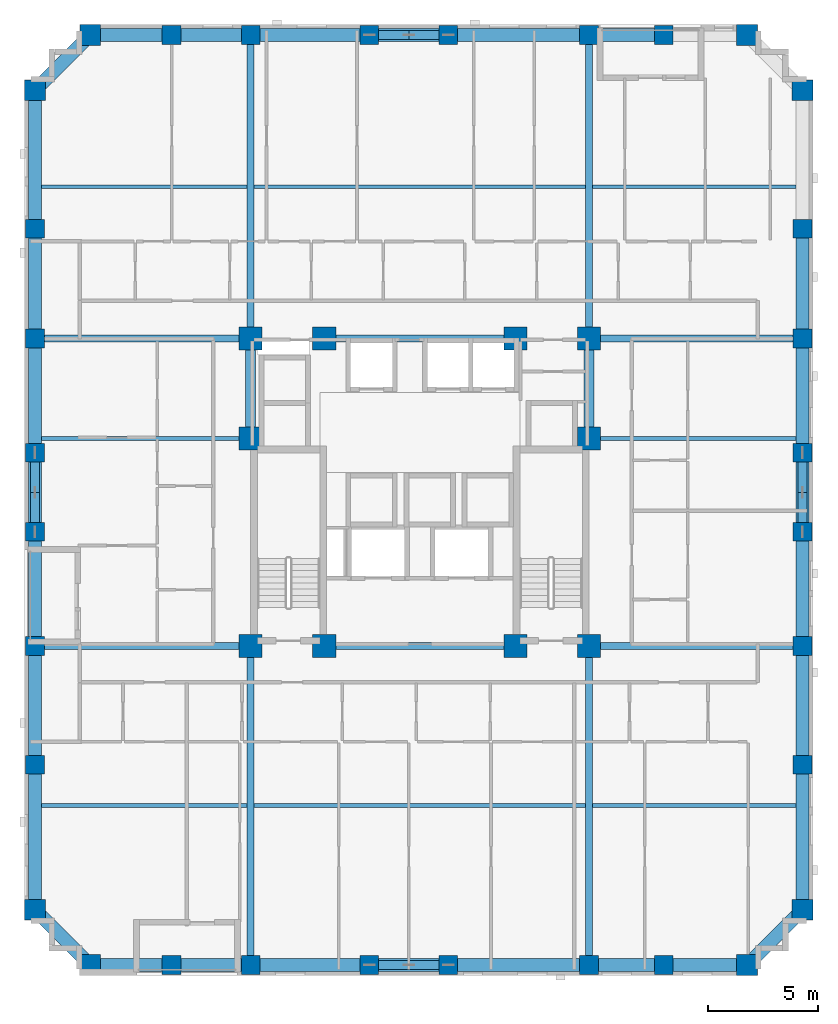
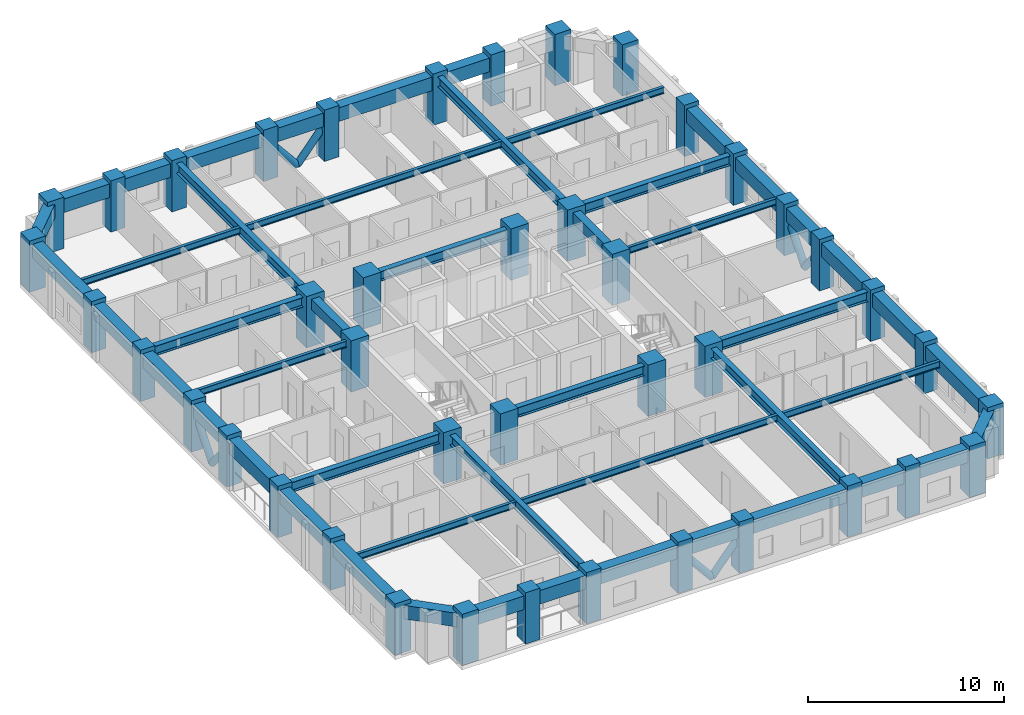
# One storey, part 1 of 12: 49 beams, 42 columns, 8 members.
"""IFC4 building model written with IfcOpenShell, lengths in metres."""

from ifc_helpers import new_model, si_unit, derived_unit, direction, frame, origin, origin_2d, place, context, subcontext, project, spatial, rectangle, hollow_circle, i_section, extrude, material, material_profile, profile_set, type_object, element, save


model = new_model("IFC4")

# Units and contexts
model_context = context("Model", 3, precision=1e-05, world=origin(), true_north=direction((0.0, 1.0)))
body_context = subcontext(model_context, "Body", "Model", "MODEL_VIEW")
ifc_project = project(units=[si_unit("LENGTHUNIT", "METRE"), si_unit("AREAUNIT", "SQUARE_METRE"), si_unit("VOLUMEUNIT", "CUBIC_METRE"), si_unit("PLANEANGLEUNIT", "RADIAN"), si_unit("MASSUNIT", "GRAM", prefix="KILO"), derived_unit("THERMALTRANSMITTANCEUNIT", [(si_unit("MASSUNIT", "GRAM", prefix="KILO"), 1), (si_unit("TIMEUNIT", "SECOND"), -3), (si_unit("THERMODYNAMICTEMPERATUREUNIT", "KELVIN"), -1)])], contexts=[model_context])

# Site, building, storey
site_placement = place(None, origin())
site = spatial("IfcSite", under=ifc_project, at=site_placement, CompositionType="ELEMENT")
building_placement = place(site_placement, origin())
building = spatial("IfcBuilding", under=site, at=building_placement, Name="Korrvale Station Residences", CompositionType="ELEMENT")
storey_placement = place(building_placement, frame((0.0, 0.0, 78.300048828125)))
storey = spatial("IfcBuildingStorey", under=building, at=storey_placement, Name="L21", CompositionType="ELEMENT", Elevation=78.300048828125)

# Columns
ifc_material_1 = material(Name="Concrete C60/75", Category="concrete")
ifc_material_profile_1 = material_profile(ifc_material_1, rectangle(XDim=1.050048828125, YDim=1.050048828125, at=origin_2d()), Name="RC1050x1050")
ifc_profile_set_1 = profile_set([ifc_material_profile_1], Name="Concrete C60/75")
column_type_1 = type_object("IfcColumnType", Name="COL-C-RC1050x1050-C6075", PredefinedType="COLUMN", material=ifc_profile_set_1)
for number, where, z_axis, x_axis, name in (
    (1, (17.800048828125, 15.0, 0.0), (0.0, 0.0, 1.0), (1.0, 0.0, 0.0), "L21 Core Column 01"),
    (2, (21.14990234375, 15.0, 0.0), (0.0, 0.0, 1.0), (1.0, 0.0, 0.0), "L21 Core Column 02"),
    (3, (29.85009765625, 15.0, 0.0), (0.0, 0.0, 1.0), (1.0, 0.0, 0.0), "L21 Core Column 03"),
    (4, (33.199951171875, 15.0, 0.0), (0.0, 0.0, 1.0), (1.0, 0.0, 0.0), "L21 Core Column 04"),
    (5, (17.800048828125, 29.0, 0.0), (0.0, 0.0, 1.0), (1.0, 0.0, 0.0), "L21 Core Column 05"),
    (6, (21.14990234375, 29.0, 0.0), (0.0, 0.0, 1.0), (1.0, 0.0, 0.0), "L21 Core Column 06"),
    (7, (29.85009765625, 29.0, 0.0), (0.0, 0.0, 1.0), (1.0, 0.0, 0.0), "L21 Core Column 07"),
    (8, (33.199951171875, 29.0, 0.0), (0.0, 0.0, 1.0), (1.0, 0.0, 0.0), "L21 Core Column 08"),
    (9, (17.800048828125, 24.449951171875, 0.0), (0.0, 0.0, 1.0), (1.0, 0.0, 0.0), "L21 Core Column 09"),
    (10, (33.199951171875, 24.449951171875, 0.0), (0.0, 0.0, 1.0), (1.0, 0.0, 0.0), "L21 Core Column 10"),
):
    element("IfcColumn", number, at=place(storey_placement, frame(where, z_axis=z_axis, x_axis=x_axis)), inside=storey, type_object=column_type_1, Name=name, PredefinedType="COLUMN", context=body_context, shape_type="SweptSolid", body=[
        extrude(rectangle(XDim=1.050048828125, YDim=1.050048828125, at=origin_2d()), origin(), (0.0, 0.0, 1.0), 3.199951171875),
    ])
ifc_material_profile_2 = material_profile(ifc_material_1, rectangle(XDim=0.85009765625, YDim=0.85009765625, at=origin_2d()), Name="RC850x850")
ifc_profile_set_2 = profile_set([ifc_material_profile_2], Name="Concrete C60/75")
column_type_2 = type_object("IfcColumnType", Name="COL-C-RC850x850-C6075", PredefinedType="COLUMN", material=ifc_profile_set_2)
for number, where, z_axis, x_axis, name in (
    (11, (14.199951171875, 0.47998046875, 0.0), (0.0, 0.0, 1.0), (1.0, 0.0, 0.0), "L21 Bundled-Tube South Column 02"),
    (12, (17.800048828125, 0.47998046875, 0.0), (0.0, 0.0, 1.0), (1.0, 0.0, 0.0), "L21 Bundled-Tube South Column 03"),
    (13, (23.199951171875, 0.47998046875, 0.0), (0.0, 0.0, 1.0), (1.0, 0.0, 0.0), "L21 Bundled-Tube South Column 04"),
    (14, (26.800048828125, 0.47998046875, 0.0), (0.0, 0.0, 1.0), (1.0, 0.0, 0.0), "L21 Bundled-Tube South Column 05"),
    (15, (33.199951171875, 0.47998046875, 0.0), (0.0, 0.0, 1.0), (1.0, 0.0, 0.0), "L21 Bundled-Tube South Column 06"),
    (16, (36.60009765625, 0.47998046875, 0.0), (0.0, 0.0, 1.0), (1.0, 0.0, 0.0), "L21 Bundled-Tube South Column 07"),
    (17, (14.199951171875, 42.820068359375, 0.0), (0.0, 0.0, 1.0), (1.0, 0.0, 0.0), "L21 Bundled-Tube North Column 10"),
    (18, (17.800048828125, 42.820068359375, 0.0), (0.0, 0.0, 1.0), (1.0, 0.0, 0.0), "L21 Bundled-Tube North Column 11"),
    (19, (23.199951171875, 42.820068359375, 0.0), (0.0, 0.0, 1.0), (1.0, 0.0, 0.0), "L21 Bundled-Tube North Column 12"),
    (20, (26.800048828125, 42.820068359375, 0.0), (0.0, 0.0, 1.0), (1.0, 0.0, 0.0), "L21 Bundled-Tube North Column 13"),
    (21, (33.199951171875, 42.820068359375, 0.0), (0.0, 0.0, 1.0), (1.0, 0.0, 0.0), "L21 Bundled-Tube North Column 14"),
    (22, (36.60009765625, 42.820068359375, 0.0), (0.0, 0.0, 1.0), (1.0, 0.0, 0.0), "L21 Bundled-Tube North Column 15"),
    (23, (7.97998046875, 9.60009765625, 0.0), (0.0, 0.0, 1.0), (1.0, 0.0, 0.0), "L21 Bundled-Tube West Column 18"),
    (24, (7.97998046875, 15.0, 0.0), (0.0, 0.0, 1.0), (1.0, 0.0, 0.0), "L21 Bundled-Tube West Column 19"),
    (25, (7.97998046875, 20.199951171875, 0.0), (0.0, 0.0, 1.0), (1.0, 0.0, 0.0), "L21 Bundled-Tube West Column 20"),
    (26, (7.97998046875, 23.800048828125, 0.0), (0.0, 0.0, 1.0), (1.0, 0.0, 0.0), "L21 Bundled-Tube West Column 21"),
    (27, (7.97998046875, 29.0, 0.0), (0.0, 0.0, 1.0), (1.0, 0.0, 0.0), "L21 Bundled-Tube West Column 22"),
    (28, (7.97998046875, 34.0, 0.0), (0.0, 0.0, 1.0), (1.0, 0.0, 0.0), "L21 Bundled-Tube West Column 23"),
    (29, (42.919921875, 9.60009765625, 0.0), (0.0, 0.0, 1.0), (1.0, 0.0, 0.0), "L21 Bundled-Tube East Column 26"),
    (30, (42.919921875, 15.0, 0.0), (0.0, 0.0, 1.0), (1.0, 0.0, 0.0), "L21 Bundled-Tube East Column 27"),
    (31, (42.919921875, 20.199951171875, 0.0), (0.0, 0.0, 1.0), (1.0, 0.0, 0.0), "L21 Bundled-Tube East Column 28"),
    (32, (42.919921875, 23.800048828125, 0.0), (0.0, 0.0, 1.0), (1.0, 0.0, 0.0), "L21 Bundled-Tube East Column 29"),
    (33, (42.919921875, 29.0, 0.0), (0.0, 0.0, 1.0), (1.0, 0.0, 0.0), "L21 Bundled-Tube East Column 30"),
    (34, (42.919921875, 34.0, 0.0), (0.0, 0.0, 1.0), (1.0, 0.0, 0.0), "L21 Bundled-Tube East Column 31"),
):
    element("IfcColumn", number, at=place(storey_placement, frame(where, z_axis=z_axis, x_axis=x_axis)), inside=storey, type_object=column_type_2, Name=name, PredefinedType="COLUMN", context=body_context, shape_type="SweptSolid", body=[
        extrude(rectangle(XDim=0.85009765625, YDim=0.85009765625, at=origin_2d()), origin(), (0.0, 0.0, 1.0), 3.199951171875),
    ])
ifc_material_profile_3 = material_profile(ifc_material_1, rectangle(XDim=0.949951171875, YDim=0.949951171875, at=origin_2d()), Name="RC950x950")
ifc_profile_set_3 = profile_set([ifc_material_profile_3], Name="Concrete C60/75")
column_type_3 = type_object("IfcColumnType", Name="COL-C-RC950x950-C6075", PredefinedType="COLUMN", material=ifc_profile_set_3)
for number, where, z_axis, x_axis, name in (
    (35, (10.5, 0.47998046875, 0.0), (0.0, 0.0, 1.0), (1.0, 0.0, 0.0), "L21 Bundled-Tube South Column 01"),
    (36, (40.39990234375, 0.47998046875, 0.0), (0.0, 0.0, 1.0), (1.0, 0.0, 0.0), "L21 Bundled-Tube South Column 08"),
    (37, (10.5, 42.820068359375, 0.0), (0.0, 0.0, 1.0), (1.0, 0.0, 0.0), "L21 Bundled-Tube North Column 09"),
    (38, (40.39990234375, 42.820068359375, 0.0), (0.0, 0.0, 1.0), (1.0, 0.0, 0.0), "L21 Bundled-Tube North Column 16"),
    (39, (7.97998046875, 3.0, 0.0), (0.0, 0.0, 1.0), (1.0, 0.0, 0.0), "L21 Bundled-Tube West Column 17"),
    (40, (7.97998046875, 40.300048828125, 0.0), (0.0, 0.0, 1.0), (1.0, 0.0, 0.0), "L21 Bundled-Tube West Column 24"),
    (41, (42.919921875, 3.0, 0.0), (0.0, 0.0, 1.0), (1.0, 0.0, 0.0), "L21 Bundled-Tube East Column 25"),
    (42, (42.919921875, 40.300048828125, 0.0), (0.0, 0.0, 1.0), (1.0, 0.0, 0.0), "L21 Bundled-Tube East Column 32"),
):
    element("IfcColumn", number, at=place(storey_placement, frame(where, z_axis=z_axis, x_axis=x_axis)), inside=storey, type_object=column_type_3, Name=name, PredefinedType="COLUMN", context=body_context, shape_type="SweptSolid", body=[
        extrude(rectangle(XDim=0.949951171875, YDim=0.949951171875, at=origin_2d()), origin(), (0.0, 0.0, 1.0), 3.199951171875),
    ])

# Beams
ifc_material_2 = material(Name="Steel S355", Category="steel")
ifc_material_profile_4 = material_profile(ifc_material_2, i_section(OverallWidth=0.324951171875, OverallDepth=0.615966796875, WebThickness=0.013916015625, FlangeThickness=0.021484375, FilletRadius=0.01904296875, at=origin_2d()), Name="W610x174")
ifc_profile_set_4 = profile_set([ifc_material_profile_4], Name="Steel S355")
beam_type_1 = type_object("IfcBeamType", Name="BM-BM-W610x174-S355", PredefinedType="BEAM", material=ifc_profile_set_4)
for number, where, z_axis, x_axis, name in (
    (43, (17.800048828125, 0.47998046875, 2.6318359375), (0.0, 1.0, 0.0), (-1.0, 0.0, 0.0), "L21 Bundled-Tube Web Girder 01"),
    (44, (33.199951171875, 0.47998046875, 2.6318359375), (0.0, 1.0, 0.0), (-1.0, 0.0, 0.0), "L21 Bundled-Tube Web Girder 02"),
):
    element("IfcBeam", number, at=place(storey_placement, frame(where, z_axis=z_axis, x_axis=x_axis)), inside=storey, type_object=beam_type_1, Name=name, PredefinedType="BEAM", context=body_context, shape_type="SweptSolid", body=[
        extrude(i_section(OverallWidth=0.324951171875, OverallDepth=0.615966796875, WebThickness=0.013916015625, FlangeThickness=0.021484375, FilletRadius=0.01904296875, at=origin_2d()), origin(), (0.0, 0.0, 1.0), 14.52001953125),
    ])
for number, where, z_axis, x_axis, name in (
    (45, (17.800048828125, 29.0, 2.6318359375), (0.0, 1.0, 0.0), (-1.0, 0.0, 0.0), "L21 Bundled-Tube Web Girder 03"),
    (46, (33.199951171875, 29.0, 2.6318359375), (0.0, 1.0, 0.0), (-1.0, 0.0, 0.0), "L21 Bundled-Tube Web Girder 04"),
):
    element("IfcBeam", number, at=place(storey_placement, frame(where, z_axis=z_axis, x_axis=x_axis)), inside=storey, type_object=beam_type_1, Name=name, PredefinedType="BEAM", context=body_context, shape_type="SweptSolid", body=[
        extrude(i_section(OverallWidth=0.324951171875, OverallDepth=0.615966796875, WebThickness=0.013916015625, FlangeThickness=0.021484375, FilletRadius=0.01904296875, at=origin_2d()), origin(), (0.0, 0.0, 1.0), 13.820068359375),
    ])
beam_1_placement = place(storey_placement, frame((7.97998046875, 15.0, 2.6318359375), z_axis=(1.0, 0.0, 0.0), x_axis=(0.0, 1.0, 0.0)))
element("IfcBeam", 47, at=beam_1_placement, inside=storey, type_object=beam_type_1, Name="L21 Bundled-Tube Web Girder 05", PredefinedType="BEAM", context=body_context, shape_type="SweptSolid", body=[
    extrude(i_section(OverallWidth=0.324951171875, OverallDepth=0.615966796875, WebThickness=0.013916015625, FlangeThickness=0.021484375, FilletRadius=0.01904296875, at=origin_2d()), origin(), (0.0, 0.0, 1.0), 9.820068359375),
])
beam_2_placement = place(storey_placement, frame((33.199951171875, 15.0, 2.6318359375), z_axis=(1.0, 0.0, 0.0), x_axis=(0.0, 1.0, 0.0)))
element("IfcBeam", 48, at=beam_2_placement, inside=storey, type_object=beam_type_1, Name="L21 Bundled-Tube Web Girder 06", PredefinedType="BEAM", context=body_context, shape_type="SweptSolid", body=[
    extrude(i_section(OverallWidth=0.324951171875, OverallDepth=0.615966796875, WebThickness=0.013916015625, FlangeThickness=0.021484375, FilletRadius=0.01904296875, at=origin_2d()), origin(), (0.0, 0.0, 1.0), 9.719970703125),
])
beam_3_placement = place(storey_placement, frame((7.97998046875, 29.0, 2.6318359375), z_axis=(1.0, 0.0, 0.0), x_axis=(0.0, 1.0, 0.0)))
element("IfcBeam", 49, at=beam_3_placement, inside=storey, type_object=beam_type_1, Name="L21 Bundled-Tube Web Girder 07", PredefinedType="BEAM", context=body_context, shape_type="SweptSolid", body=[
    extrude(i_section(OverallWidth=0.324951171875, OverallDepth=0.615966796875, WebThickness=0.013916015625, FlangeThickness=0.021484375, FilletRadius=0.01904296875, at=origin_2d()), origin(), (0.0, 0.0, 1.0), 9.820068359375),
])
beam_4_placement = place(storey_placement, frame((33.199951171875, 29.0, 2.6318359375), z_axis=(1.0, 0.0, 0.0), x_axis=(0.0, 1.0, 0.0)))
element("IfcBeam", 50, at=beam_4_placement, inside=storey, type_object=beam_type_1, Name="L21 Bundled-Tube Web Girder 08", PredefinedType="BEAM", context=body_context, shape_type="SweptSolid", body=[
    extrude(i_section(OverallWidth=0.324951171875, OverallDepth=0.615966796875, WebThickness=0.013916015625, FlangeThickness=0.021484375, FilletRadius=0.01904296875, at=origin_2d()), origin(), (0.0, 0.0, 1.0), 9.719970703125),
])
for number, where, z_axis, x_axis, name in (
    (51, (21.14990234375, 15.0, 2.6318359375), (1.0, 0.0, 0.0), (0.0, 1.0, 0.0), "L21 Bundled-Tube Web Girder 09"),
    (52, (21.14990234375, 29.0, 2.6318359375), (1.0, 0.0, 0.0), (0.0, 1.0, 0.0), "L21 Bundled-Tube Web Girder 10"),
):
    element("IfcBeam", number, at=place(storey_placement, frame(where, z_axis=z_axis, x_axis=x_axis)), inside=storey, type_object=beam_type_1, Name=name, PredefinedType="BEAM", context=body_context, shape_type="SweptSolid", body=[
        extrude(i_section(OverallWidth=0.324951171875, OverallDepth=0.615966796875, WebThickness=0.013916015625, FlangeThickness=0.021484375, FilletRadius=0.01904296875, at=origin_2d()), origin(), (0.0, 0.0, 1.0), 8.7001953125),
    ])
ifc_material_profile_5 = material_profile(ifc_material_2, i_section(OverallWidth=0.177978515625, OverallDepth=0.406982421875, WebThickness=0.0078125, FlangeThickness=0.0126953125, FilletRadius=0.01611328125, at=origin_2d()), Name="W410x60")
ifc_profile_set_5 = profile_set([ifc_material_profile_5], Name="Steel S355")
beam_type_2 = type_object("IfcBeamType", Name="BM-JST-W410x60-S355", PredefinedType="JOIST", material=ifc_profile_set_5)
beam_5_placement = place(storey_placement, frame((8.280029296875, 7.739990234375, 2.736572265625), z_axis=(1.0, 0.0, 0.0), x_axis=(0.0, 1.0, 0.0)))
element("IfcBeam", 53, at=beam_5_placement, inside=storey, type_object=beam_type_2, Name="L21 Floor Framing Joist 01", PredefinedType="JOIST", context=body_context, shape_type="SweptSolid", body=[
    extrude(i_section(OverallWidth=0.177978515625, OverallDepth=0.406982421875, WebThickness=0.0078125, FlangeThickness=0.0126953125, FilletRadius=0.01611328125, at=origin_2d()), origin(), (0.0, 0.0, 1.0), 9.357421875),
])
beam_6_placement = place(storey_placement, frame((17.96240234375, 7.739990234375, 2.736572265625), z_axis=(1.0, 0.0, 0.0), x_axis=(0.0, 1.0, 0.0)))
element("IfcBeam", 54, at=beam_6_placement, inside=storey, type_object=beam_type_2, Name="L21 Floor Framing Joist 02", PredefinedType="JOIST", context=body_context, shape_type="SweptSolid", body=[
    extrude(i_section(OverallWidth=0.177978515625, OverallDepth=0.406982421875, WebThickness=0.0078125, FlangeThickness=0.0126953125, FilletRadius=0.01611328125, at=origin_2d()), origin(), (0.0, 0.0, 1.0), 15.0751953125),
])
beam_7_placement = place(storey_placement, frame((33.362548828125, 7.739990234375, 2.736572265625), z_axis=(1.0, 0.0, 0.0), x_axis=(0.0, 1.0, 0.0)))
element("IfcBeam", 55, at=beam_7_placement, inside=storey, type_object=beam_type_2, Name="L21 Floor Framing Joist 03", PredefinedType="JOIST", context=body_context, shape_type="SweptSolid", body=[
    extrude(i_section(OverallWidth=0.177978515625, OverallDepth=0.406982421875, WebThickness=0.0078125, FlangeThickness=0.0126953125, FilletRadius=0.01611328125, at=origin_2d()), origin(), (0.0, 0.0, 1.0), 9.257568359375),
])
beam_8_placement = place(storey_placement, frame((8.280029296875, 35.909912109375, 2.736572265625), z_axis=(1.0, 0.0, 0.0), x_axis=(0.0, 1.0, 0.0)))
element("IfcBeam", 56, at=beam_8_placement, inside=storey, type_object=beam_type_2, Name="L21 Floor Framing Joist 04", PredefinedType="JOIST", context=body_context, shape_type="SweptSolid", body=[
    extrude(i_section(OverallWidth=0.177978515625, OverallDepth=0.406982421875, WebThickness=0.0078125, FlangeThickness=0.0126953125, FilletRadius=0.01611328125, at=origin_2d()), origin(), (0.0, 0.0, 1.0), 9.357421875),
])
beam_9_placement = place(storey_placement, frame((17.96240234375, 35.909912109375, 2.736572265625), z_axis=(1.0, 0.0, 0.0), x_axis=(0.0, 1.0, 0.0)))
element("IfcBeam", 57, at=beam_9_placement, inside=storey, type_object=beam_type_2, Name="L21 Floor Framing Joist 05", PredefinedType="JOIST", context=body_context, shape_type="SweptSolid", body=[
    extrude(i_section(OverallWidth=0.177978515625, OverallDepth=0.406982421875, WebThickness=0.0078125, FlangeThickness=0.0126953125, FilletRadius=0.01611328125, at=origin_2d()), origin(), (0.0, 0.0, 1.0), 15.0751953125),
])
beam_10_placement = place(storey_placement, frame((33.362548828125, 35.909912109375, 2.736572265625), z_axis=(1.0, 0.0, 0.0), x_axis=(0.0, 1.0, 0.0)))
element("IfcBeam", 58, at=beam_10_placement, inside=storey, type_object=beam_type_2, Name="L21 Floor Framing Joist 06", PredefinedType="JOIST", context=body_context, shape_type="SweptSolid", body=[
    extrude(i_section(OverallWidth=0.177978515625, OverallDepth=0.406982421875, WebThickness=0.0078125, FlangeThickness=0.0126953125, FilletRadius=0.01611328125, at=origin_2d()), origin(), (0.0, 0.0, 1.0), 9.257568359375),
])
beam_11_placement = place(storey_placement, frame((33.425048828125, 24.449951171875, 2.736572265625), z_axis=(1.0, 0.0, 0.0), x_axis=(0.0, 1.0, 0.0)))
element("IfcBeam", 59, at=beam_11_placement, inside=storey, type_object=beam_type_2, Name="L21 Floor Framing Joist 07", PredefinedType="JOIST", context=body_context, shape_type="SweptSolid", body=[
    extrude(i_section(OverallWidth=0.177978515625, OverallDepth=0.406982421875, WebThickness=0.0078125, FlangeThickness=0.0126953125, FilletRadius=0.01611328125, at=origin_2d()), origin(), (0.0, 0.0, 1.0), 9.195068359375),
])
beam_12_placement = place(storey_placement, frame((8.280029296875, 24.449951171875, 2.736572265625), z_axis=(1.0, 0.0, 0.0), x_axis=(0.0, 1.0, 0.0)))
element("IfcBeam", 60, at=beam_12_placement, inside=storey, type_object=beam_type_2, Name="L21 Floor Framing Joist 08", PredefinedType="JOIST", context=body_context, shape_type="SweptSolid", body=[
    extrude(i_section(OverallWidth=0.177978515625, OverallDepth=0.406982421875, WebThickness=0.0078125, FlangeThickness=0.0126953125, FilletRadius=0.01611328125, at=origin_2d()), origin(), (0.0, 0.0, 1.0), 9.294921875),
])
ifc_material_profile_6 = material_profile(ifc_material_1, rectangle(XDim=0.449951171875, YDim=0.64990234375, at=origin_2d()), Name="RCB450x650")
ifc_profile_set_6 = profile_set([ifc_material_profile_6], Name="Concrete C60/75")
beam_type_3 = type_object("IfcBeamType", Name="BM-LNT-RCB450x650-C6075", PredefinedType="LINTEL", material=ifc_profile_set_6)
for number, where, z_axis, x_axis, name in (
    (61, (17.800048828125, 24.449951171875, 2.614990234375), (0.0, 1.0, 0.0), (-1.0, 0.0, 0.0), "L21 Core Coupling Lintel 1"),
    (62, (33.199951171875, 24.449951171875, 2.614990234375), (0.0, 1.0, 0.0), (-1.0, 0.0, 0.0), "L21 Core Coupling Lintel 2"),
):
    element("IfcBeam", number, at=place(storey_placement, frame(where, z_axis=z_axis, x_axis=x_axis)), inside=storey, type_object=beam_type_3, Name=name, PredefinedType="LINTEL", context=body_context, shape_type="SweptSolid", body=[
        extrude(rectangle(XDim=0.449951171875, YDim=0.64990234375, at=origin_2d()), origin(), (0.0, 0.0, 1.0), 4.550048828125),
    ])
ifc_material_profile_7 = material_profile(ifc_material_1, rectangle(XDim=0.60009765625, YDim=0.85009765625, at=origin_2d()), Name="RCB600x850")
ifc_profile_set_7 = profile_set([ifc_material_profile_7], Name="Concrete C60/75")
beam_type_4 = type_object("IfcBeamType", Name="BM-SPB-RCB600x850-C6075", PredefinedType="SPANDREL", material=ifc_profile_set_7)
beam_13_placement = place(storey_placement, frame((10.5, 0.47998046875, 2.514892578125), z_axis=(1.0, 0.0, 0.0), x_axis=(0.0, 1.0, 0.0)))
element("IfcBeam", 63, at=beam_13_placement, inside=storey, type_object=beam_type_4, Name="L21 South Tube Spandrel 01", PredefinedType="SPANDREL", context=body_context, shape_type="SweptSolid", body=[
    extrude(rectangle(XDim=0.60009765625, YDim=0.85009765625, at=origin_2d()), origin(), (0.0, 0.0, 1.0), 3.699951171875),
])
beam_14_placement = place(storey_placement, frame((14.199951171875, 0.47998046875, 2.514892578125), z_axis=(1.0, 0.0, 0.0), x_axis=(0.0, 1.0, 0.0)))
element("IfcBeam", 64, at=beam_14_placement, inside=storey, type_object=beam_type_4, Name="L21 South Tube Spandrel 02", PredefinedType="SPANDREL", context=body_context, shape_type="SweptSolid", body=[
    extrude(rectangle(XDim=0.60009765625, YDim=0.85009765625, at=origin_2d()), origin(), (0.0, 0.0, 1.0), 3.60009765625),
])
beam_15_placement = place(storey_placement, frame((17.800048828125, 0.47998046875, 2.514892578125), z_axis=(1.0, 0.0, 0.0), x_axis=(0.0, 1.0, 0.0)))
element("IfcBeam", 65, at=beam_15_placement, inside=storey, type_object=beam_type_4, Name="L21 South Tube Spandrel 03", PredefinedType="SPANDREL", context=body_context, shape_type="SweptSolid", body=[
    extrude(rectangle(XDim=0.60009765625, YDim=0.85009765625, at=origin_2d()), origin(), (0.0, 0.0, 1.0), 5.39990234375),
])
beam_16_placement = place(storey_placement, frame((23.199951171875, 0.47998046875, 2.514892578125), z_axis=(1.0, 0.0, 0.0), x_axis=(0.0, 1.0, 0.0)))
element("IfcBeam", 66, at=beam_16_placement, inside=storey, type_object=beam_type_4, Name="L21 South Tube Spandrel 04", PredefinedType="SPANDREL", context=body_context, shape_type="SweptSolid", body=[
    extrude(rectangle(XDim=0.60009765625, YDim=0.85009765625, at=origin_2d()), origin(), (0.0, 0.0, 1.0), 3.60009765625),
])
beam_17_placement = place(storey_placement, frame((26.800048828125, 0.47998046875, 2.514892578125), z_axis=(1.0, 0.0, 0.0), x_axis=(0.0, 1.0, 0.0)))
element("IfcBeam", 67, at=beam_17_placement, inside=storey, type_object=beam_type_4, Name="L21 South Tube Spandrel 05", PredefinedType="SPANDREL", context=body_context, shape_type="SweptSolid", body=[
    extrude(rectangle(XDim=0.60009765625, YDim=0.85009765625, at=origin_2d()), origin(), (0.0, 0.0, 1.0), 6.39990234375),
])
beam_18_placement = place(storey_placement, frame((33.199951171875, 0.47998046875, 2.514892578125), z_axis=(1.0, 0.0, 0.0), x_axis=(0.0, 1.0, 0.0)))
element("IfcBeam", 68, at=beam_18_placement, inside=storey, type_object=beam_type_4, Name="L21 South Tube Spandrel 06", PredefinedType="SPANDREL", context=body_context, shape_type="SweptSolid", body=[
    extrude(rectangle(XDim=0.60009765625, YDim=0.85009765625, at=origin_2d()), origin(), (0.0, 0.0, 1.0), 3.400146484375),
])
beam_19_placement = place(storey_placement, frame((36.60009765625, 0.47998046875, 2.514892578125), z_axis=(1.0, 0.0, 0.0), x_axis=(0.0, 1.0, 0.0)))
element("IfcBeam", 69, at=beam_19_placement, inside=storey, type_object=beam_type_4, Name="L21 South Tube Spandrel 07", PredefinedType="SPANDREL", context=body_context, shape_type="SweptSolid", body=[
    extrude(rectangle(XDim=0.60009765625, YDim=0.85009765625, at=origin_2d()), origin(), (0.0, 0.0, 1.0), 3.7998046875),
])
beam_20_placement = place(storey_placement, frame((10.5, 42.820068359375, 2.514892578125), z_axis=(1.0, 0.0, 0.0), x_axis=(0.0, 1.0, 0.0)))
element("IfcBeam", 70, at=beam_20_placement, inside=storey, type_object=beam_type_4, Name="L21 North Tube Spandrel 08", PredefinedType="SPANDREL", context=body_context, shape_type="SweptSolid", body=[
    extrude(rectangle(XDim=0.60009765625, YDim=0.85009765625, at=origin_2d()), origin(), (0.0, 0.0, 1.0), 3.699951171875),
])
beam_21_placement = place(storey_placement, frame((14.199951171875, 42.820068359375, 2.514892578125), z_axis=(1.0, 0.0, 0.0), x_axis=(0.0, 1.0, 0.0)))
element("IfcBeam", 71, at=beam_21_placement, inside=storey, type_object=beam_type_4, Name="L21 North Tube Spandrel 09", PredefinedType="SPANDREL", context=body_context, shape_type="SweptSolid", body=[
    extrude(rectangle(XDim=0.60009765625, YDim=0.85009765625, at=origin_2d()), origin(), (0.0, 0.0, 1.0), 3.60009765625),
])
beam_22_placement = place(storey_placement, frame((17.800048828125, 42.820068359375, 2.514892578125), z_axis=(1.0, 0.0, 0.0), x_axis=(0.0, 1.0, 0.0)))
element("IfcBeam", 72, at=beam_22_placement, inside=storey, type_object=beam_type_4, Name="L21 North Tube Spandrel 10", PredefinedType="SPANDREL", context=body_context, shape_type="SweptSolid", body=[
    extrude(rectangle(XDim=0.60009765625, YDim=0.85009765625, at=origin_2d()), origin(), (0.0, 0.0, 1.0), 5.39990234375),
])
beam_23_placement = place(storey_placement, frame((23.199951171875, 42.820068359375, 2.514892578125), z_axis=(1.0, 0.0, 0.0), x_axis=(0.0, 1.0, 0.0)))
element("IfcBeam", 73, at=beam_23_placement, inside=storey, type_object=beam_type_4, Name="L21 North Tube Spandrel 11", PredefinedType="SPANDREL", context=body_context, shape_type="SweptSolid", body=[
    extrude(rectangle(XDim=0.60009765625, YDim=0.85009765625, at=origin_2d()), origin(), (0.0, 0.0, 1.0), 3.60009765625),
])
beam_24_placement = place(storey_placement, frame((26.800048828125, 42.820068359375, 2.514892578125), z_axis=(1.0, 0.0, 0.0), x_axis=(0.0, 1.0, 0.0)))
element("IfcBeam", 74, at=beam_24_placement, inside=storey, type_object=beam_type_4, Name="L21 North Tube Spandrel 12", PredefinedType="SPANDREL", context=body_context, shape_type="SweptSolid", body=[
    extrude(rectangle(XDim=0.60009765625, YDim=0.85009765625, at=origin_2d()), origin(), (0.0, 0.0, 1.0), 6.39990234375),
])
beam_25_placement = place(storey_placement, frame((33.199951171875, 42.820068359375, 2.514892578125), z_axis=(1.0, 0.0, 0.0), x_axis=(0.0, 1.0, 0.0)))
element("IfcBeam", 75, at=beam_25_placement, inside=storey, type_object=beam_type_4, Name="L21 North Tube Spandrel 13", PredefinedType="SPANDREL", context=body_context, shape_type="SweptSolid", body=[
    extrude(rectangle(XDim=0.60009765625, YDim=0.85009765625, at=origin_2d()), origin(), (0.0, 0.0, 1.0), 3.400146484375),
])
beam_26_placement = place(storey_placement, frame((7.97998046875, 3.0, 2.514892578125), z_axis=(0.0, 1.0, 0.0), x_axis=(-1.0, 0.0, 0.0)))
element("IfcBeam", 76, at=beam_26_placement, inside=storey, type_object=beam_type_4, Name="L21 West Tube Spandrel 15", PredefinedType="SPANDREL", context=body_context, shape_type="SweptSolid", body=[
    extrude(rectangle(XDim=0.60009765625, YDim=0.85009765625, at=origin_2d()), origin(), (0.0, 0.0, 1.0), 6.60009765625),
])
beam_27_placement = place(storey_placement, frame((7.97998046875, 9.60009765625, 2.514892578125), z_axis=(0.0, 1.0, 0.0), x_axis=(-1.0, 0.0, 0.0)))
element("IfcBeam", 77, at=beam_27_placement, inside=storey, type_object=beam_type_4, Name="L21 West Tube Spandrel 16", PredefinedType="SPANDREL", context=body_context, shape_type="SweptSolid", body=[
    extrude(rectangle(XDim=0.60009765625, YDim=0.85009765625, at=origin_2d()), origin(), (0.0, 0.0, 1.0), 5.39990234375),
])
beam_28_placement = place(storey_placement, frame((7.97998046875, 15.0, 2.514892578125), z_axis=(0.0, 1.0, 0.0), x_axis=(-1.0, 0.0, 0.0)))
element("IfcBeam", 78, at=beam_28_placement, inside=storey, type_object=beam_type_4, Name="L21 West Tube Spandrel 17", PredefinedType="SPANDREL", context=body_context, shape_type="SweptSolid", body=[
    extrude(rectangle(XDim=0.60009765625, YDim=0.85009765625, at=origin_2d()), origin(), (0.0, 0.0, 1.0), 5.199951171875),
])
beam_29_placement = place(storey_placement, frame((7.97998046875, 20.199951171875, 2.514892578125), z_axis=(0.0, 1.0, 0.0), x_axis=(-1.0, 0.0, 0.0)))
element("IfcBeam", 79, at=beam_29_placement, inside=storey, type_object=beam_type_4, Name="L21 West Tube Spandrel 18", PredefinedType="SPANDREL", context=body_context, shape_type="SweptSolid", body=[
    extrude(rectangle(XDim=0.60009765625, YDim=0.85009765625, at=origin_2d()), origin(), (0.0, 0.0, 1.0), 3.60009765625),
])
beam_30_placement = place(storey_placement, frame((7.97998046875, 23.800048828125, 2.514892578125), z_axis=(0.0, 1.0, 0.0), x_axis=(-1.0, 0.0, 0.0)))
element("IfcBeam", 80, at=beam_30_placement, inside=storey, type_object=beam_type_4, Name="L21 West Tube Spandrel 19", PredefinedType="SPANDREL", context=body_context, shape_type="SweptSolid", body=[
    extrude(rectangle(XDim=0.60009765625, YDim=0.85009765625, at=origin_2d()), origin(), (0.0, 0.0, 1.0), 5.199951171875),
])
beam_31_placement = place(storey_placement, frame((7.97998046875, 29.0, 2.514892578125), z_axis=(0.0, 1.0, 0.0), x_axis=(-1.0, 0.0, 0.0)))
element("IfcBeam", 81, at=beam_31_placement, inside=storey, type_object=beam_type_4, Name="L21 West Tube Spandrel 20", PredefinedType="SPANDREL", context=body_context, shape_type="SweptSolid", body=[
    extrude(rectangle(XDim=0.60009765625, YDim=0.85009765625, at=origin_2d()), origin(), (0.0, 0.0, 1.0), 5.0),
])
beam_32_placement = place(storey_placement, frame((7.97998046875, 34.0, 2.514892578125), z_axis=(0.0, 1.0, 0.0), x_axis=(-1.0, 0.0, 0.0)))
element("IfcBeam", 82, at=beam_32_placement, inside=storey, type_object=beam_type_4, Name="L21 West Tube Spandrel 21", PredefinedType="SPANDREL", context=body_context, shape_type="SweptSolid", body=[
    extrude(rectangle(XDim=0.60009765625, YDim=0.85009765625, at=origin_2d()), origin(), (0.0, 0.0, 1.0), 6.300048828125),
])
beam_33_placement = place(storey_placement, frame((42.919921875, 3.0, 2.514892578125), z_axis=(0.0, 1.0, 0.0), x_axis=(-1.0, 0.0, 0.0)))
element("IfcBeam", 83, at=beam_33_placement, inside=storey, type_object=beam_type_4, Name="L21 East Tube Spandrel 22", PredefinedType="SPANDREL", context=body_context, shape_type="SweptSolid", body=[
    extrude(rectangle(XDim=0.60009765625, YDim=0.85009765625, at=origin_2d()), origin(), (0.0, 0.0, 1.0), 6.60009765625),
])
beam_34_placement = place(storey_placement, frame((42.919921875, 9.60009765625, 2.514892578125), z_axis=(0.0, 1.0, 0.0), x_axis=(-1.0, 0.0, 0.0)))
element("IfcBeam", 84, at=beam_34_placement, inside=storey, type_object=beam_type_4, Name="L21 East Tube Spandrel 23", PredefinedType="SPANDREL", context=body_context, shape_type="SweptSolid", body=[
    extrude(rectangle(XDim=0.60009765625, YDim=0.85009765625, at=origin_2d()), origin(), (0.0, 0.0, 1.0), 5.39990234375),
])
beam_35_placement = place(storey_placement, frame((42.919921875, 15.0, 2.514892578125), z_axis=(0.0, 1.0, 0.0), x_axis=(-1.0, 0.0, 0.0)))
element("IfcBeam", 85, at=beam_35_placement, inside=storey, type_object=beam_type_4, Name="L21 East Tube Spandrel 24", PredefinedType="SPANDREL", context=body_context, shape_type="SweptSolid", body=[
    extrude(rectangle(XDim=0.60009765625, YDim=0.85009765625, at=origin_2d()), origin(), (0.0, 0.0, 1.0), 5.199951171875),
])
beam_36_placement = place(storey_placement, frame((42.919921875, 20.199951171875, 2.514892578125), z_axis=(0.0, 1.0, 0.0), x_axis=(-1.0, 0.0, 0.0)))
element("IfcBeam", 86, at=beam_36_placement, inside=storey, type_object=beam_type_4, Name="L21 East Tube Spandrel 25", PredefinedType="SPANDREL", context=body_context, shape_type="SweptSolid", body=[
    extrude(rectangle(XDim=0.60009765625, YDim=0.85009765625, at=origin_2d()), origin(), (0.0, 0.0, 1.0), 3.60009765625),
])
beam_37_placement = place(storey_placement, frame((42.919921875, 23.800048828125, 2.514892578125), z_axis=(0.0, 1.0, 0.0), x_axis=(-1.0, 0.0, 0.0)))
element("IfcBeam", 87, at=beam_37_placement, inside=storey, type_object=beam_type_4, Name="L21 East Tube Spandrel 26", PredefinedType="SPANDREL", context=body_context, shape_type="SweptSolid", body=[
    extrude(rectangle(XDim=0.60009765625, YDim=0.85009765625, at=origin_2d()), origin(), (0.0, 0.0, 1.0), 5.199951171875),
])
beam_38_placement = place(storey_placement, frame((42.919921875, 29.0, 2.514892578125), z_axis=(0.0, 1.0, 0.0), x_axis=(-1.0, 0.0, 0.0)))
element("IfcBeam", 88, at=beam_38_placement, inside=storey, type_object=beam_type_4, Name="L21 East Tube Spandrel 27", PredefinedType="SPANDREL", context=body_context, shape_type="SweptSolid", body=[
    extrude(rectangle(XDim=0.60009765625, YDim=0.85009765625, at=origin_2d()), origin(), (0.0, 0.0, 1.0), 5.0),
])
for number, where, z_axis, x_axis, name in (
    (89, (10.5, 0.47998046875, 2.514892578125), (-0.707106781187, 0.707106781187, 0.0), (-0.707106781187, -0.707106781187, 0.0), "L21 Serrated Corner Spandrel 29"),
    (90, (40.39990234375, 0.47998046875, 2.514892578125), (0.707106781187, 0.707106781187, 0.0), (-0.707106781187, 0.707106781187, 0.0), "L21 Serrated Corner Spandrel 30"),
    (91, (10.5, 42.820068359375, 2.514892578125), (-0.707106781187, -0.707106781187, 0.0), (0.707106781187, -0.707106781187, 0.0), "L21 Serrated Corner Spandrel 32"),
):
    element("IfcBeam", number, at=place(storey_placement, frame(where, z_axis=z_axis, x_axis=x_axis)), inside=storey, type_object=beam_type_4, Name=name, PredefinedType="SPANDREL", context=body_context, shape_type="SweptSolid", body=[
        extrude(rectangle(XDim=0.60009765625, YDim=0.85009765625, at=origin_2d()), origin(), (0.0, 0.0, 1.0), 3.56396484375),
    ])

# Members
ifc_material_profile_8 = material_profile(ifc_material_2, hollow_circle(Radius=0.203125, WallThickness=0.015869140625, at=origin_2d()), Name="HSS406x16")
ifc_profile_set_8 = profile_set([ifc_material_profile_8], Name="Steel S355")
member_type = type_object("IfcMemberType", Name="MBR-BR-HSS406x16", PredefinedType="BRACE", material=ifc_profile_set_8)
for number, where, z_axis, x_axis, name in (
    (92, (25.0, 0.47998046875, 0.02001953125), (-0.634985494602, 0.0, 0.772524058942), (0.0, -1.0, 0.0), "L21 S Perimeter Tube Wind Brace 1"),
    (93, (25.0, 0.47998046875, 0.02001953125), (0.634985494602, 0.0, 0.772524058942), (0.0, 1.0, 0.0), "L21 S Perimeter Tube Wind Brace 2"),
    (94, (25.0, 42.820068359375, 0.02001953125), (-0.634985494602, 0.0, 0.772524058942), (0.0, -1.0, 0.0), "L21 N Perimeter Tube Wind Brace 1"),
    (95, (25.0, 42.820068359375, 0.02001953125), (0.634985494602, 0.0, 0.772524058942), (0.0, 1.0, 0.0), "L21 N Perimeter Tube Wind Brace 2"),
    (96, (7.97998046875, 22.0, 0.02001953125), (0.0, -0.634985494602, 0.772524058942), (1.0, 0.0, 0.0), "L21 W Perimeter Tube Wind Brace 1"),
    (97, (7.97998046875, 22.0, 0.02001953125), (0.0, 0.634985494602, 0.772524058942), (-1.0, 0.0, 0.0), "L21 W Perimeter Tube Wind Brace 2"),
    (98, (42.919921875, 22.0, 0.02001953125), (0.0, -0.634985494602, 0.772524058942), (1.0, 0.0, 0.0), "L21 E Perimeter Tube Wind Brace 1"),
    (99, (42.919921875, 22.0, 0.02001953125), (0.0, 0.634985494602, 0.772524058942), (-1.0, 0.0, 0.0), "L21 E Perimeter Tube Wind Brace 2"),
):
    element("IfcMember", number, at=place(storey_placement, frame(where, z_axis=z_axis, x_axis=x_axis)), inside=storey, type_object=member_type, Name=name, PredefinedType="BRACE", context=body_context, shape_type="SweptSolid", body=[
        extrude(hollow_circle(Radius=0.203125, WallThickness=0.015869140625, at=origin_2d()), origin(), (0.0, 0.0, 1.0), 2.834716796875),
    ])

save(model, "model.ifc")
